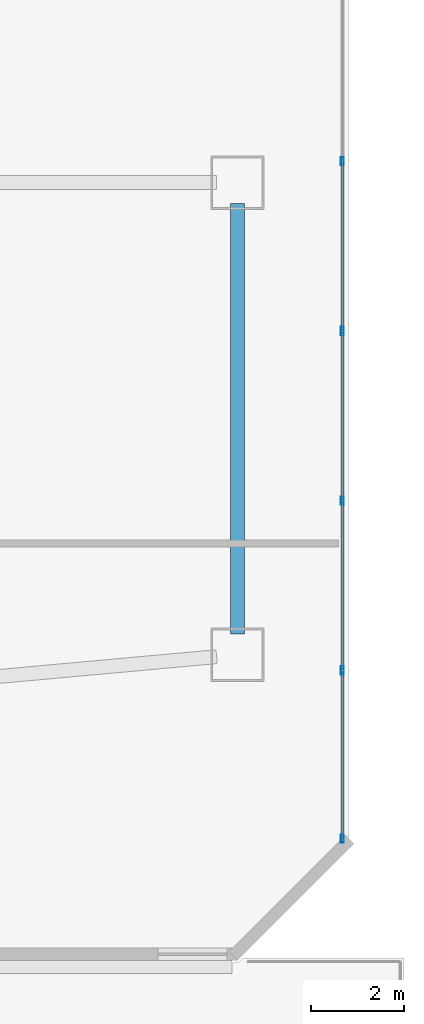
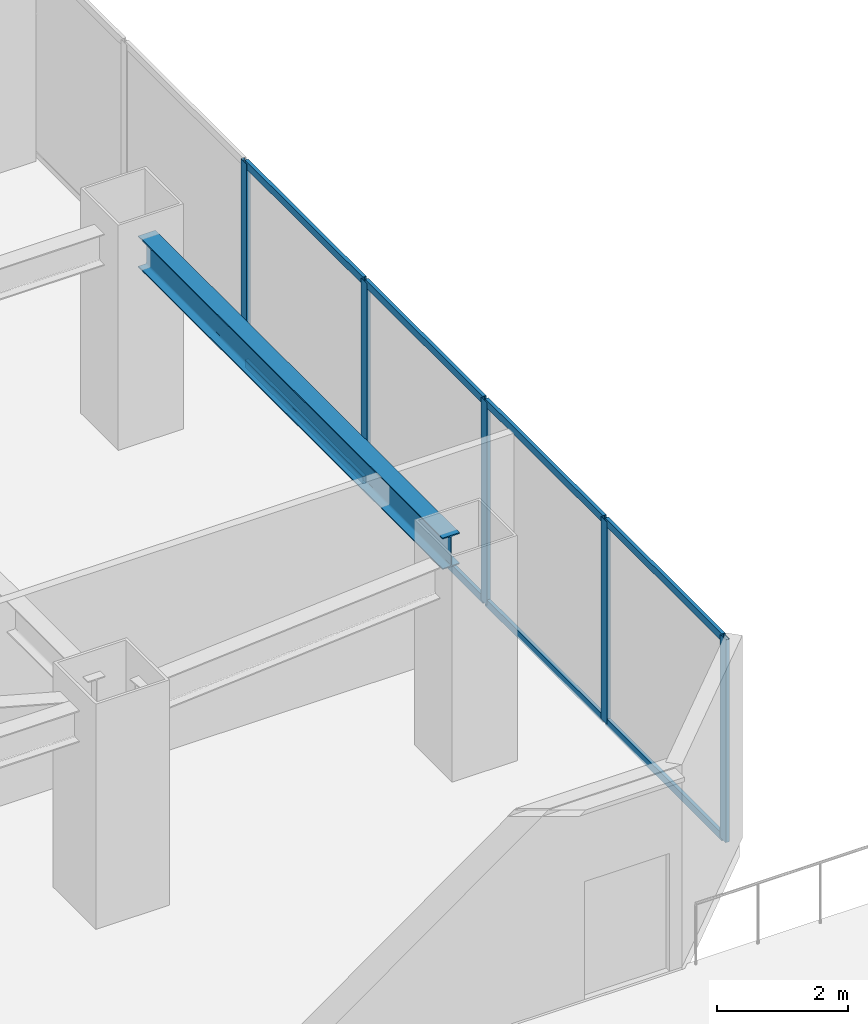
# One storey, part 19 of 32: 13 members, 1 beam, 1 element without a shape of its own.
"""IFC4 building model written with IfcOpenShell, lengths in metres."""

from ifc_helpers import new_model, si_unit, direction, frame, origin, origin_2d, place, context, subcontext, project, spatial, hollow_rectangle, i_section, extrude, material, layer, layer_set, material_profile, profile_set, type_object, element, aggregate, save


model = new_model("IFC4")

# Units and contexts
model_context = context("Model", 3, precision=1e-05, world=origin(), true_north=direction((0.0, 1.0)))
body_context = subcontext(model_context, "Body", "Model", "MODEL_VIEW")
ifc_project = project(units=[si_unit("LENGTHUNIT", "METRE"), si_unit("AREAUNIT", "SQUARE_METRE"), si_unit("VOLUMEUNIT", "CUBIC_METRE"), si_unit("PLANEANGLEUNIT", "RADIAN"), si_unit("MASSUNIT", "GRAM", prefix="KILO")], contexts=[model_context])

# Site, building, storey
site_placement = place(None, origin())
site = spatial("IfcSite", under=ifc_project, at=site_placement, CompositionType="ELEMENT")
building_placement = place(site_placement, origin())
building = spatial("IfcBuilding", under=site, at=building_placement, Name="Haolan Belvedere Tower", CompositionType="ELEMENT")
storey_placement = place(building_placement, frame((0.0, 0.0, 15.60009765625)))
storey = spatial("IfcBuildingStorey", under=building, at=storey_placement, Name="L03", CompositionType="ELEMENT", Elevation=15.60009765625)

# Beam
ifc_material_1 = material(Name="Steel Q355B", Category="steel")
ifc_material_profile_1 = material_profile(ifc_material_1, i_section(OverallWidth=0.300048828125, OverallDepth=0.587890625, WebThickness=0.011962890625, FlangeThickness=0.02001953125, FilletRadius=0.028076171875, at=origin_2d()), Name="Steel Q355B")
ifc_profile_set_1 = profile_set([ifc_material_profile_1], Name="Steel Q355B")
beam_type = type_object("IfcBeamType", Name="BM-HM588x300x12x20", PredefinedType="SPANDREL", material=ifc_profile_set_1)
beam_placement = place(storey_placement, frame((70.800048828125, 17.85009765625, 3.48583984375), z_axis=(0.0, 1.0, 0.0), x_axis=(-1.0, 0.0, 0.0)))
element("IfcBeam", 1, at=beam_placement, inside=storey, type_object=beam_type, Name="L03 spandrel girder MC-T5-SE-MC-T5-NE", PredefinedType="SPANDREL", context=body_context, shape_type="SweptSolid", body=[
    extrude(i_section(OverallWidth=0.300048828125, OverallDepth=0.587890625, WebThickness=0.011962890625, FlangeThickness=0.02001953125, FilletRadius=0.028076171875, at=origin_2d()), origin(), (0.0, 0.0, 1.0), 9.2998046875),
])

# Curtain wall, members
ifc_material_2 = material(Name="Anodised champagne-silver aluminium 6063-T6 and Low-E glass", Category="aluminium")
ifc_layer = layer(ifc_material_2, 0.179931640625, Name="Anodised champagne-silver aluminium 6063-T6 and Low-E glass")
ifc_layer_set = layer_set([ifc_layer], Name="Anodised champagne-silver aluminium 6063-T6 and Low-E glass")
curtain_wall_type = type_object("IfcCurtainWallType", Name="CW-SYS-01", PredefinedType="NOTDEFINED", material=ifc_layer_set)
curtain_wall_placement = place(storey_placement, origin())
curtain_wall = element("IfcCurtainWall", 2, at=curtain_wall_placement, inside=storey, type_object=curtain_wall_type, Name="L03 CW-SYS-01 ribbon curtain wall 2.1", PredefinedType="NOTDEFINED")
ifc_material_3 = material(Name="Anodised aluminium 6063-T6", Category="aluminium")
ifc_material_profile_2 = material_profile(ifc_material_3, hollow_rectangle(XDim=0.06494140625, YDim=0.179931640625, WallThickness=0.00390625, at=origin_2d()), Name="Anodised aluminium 6063-T6")
ifc_profile_set_2 = profile_set([ifc_material_profile_2], Name="Anodised aluminium 6063-T6")
member_type_1 = type_object("IfcMemberType", Name="CW-SYS-01-MUL", PredefinedType="MULLION", material=ifc_profile_set_2)
member_1_placement = place(storey_placement, frame((73.070068359375, 13.42626953125, 0.0), z_axis=(0.0, 0.0, 1.0), x_axis=(-1.0, 0.0, 0.0)))
member_1 = element("IfcMember", 3, at=member_1_placement, type_object=member_type_1, Name="CW-01 mullion 1", PredefinedType="MULLION", context=body_context, shape_type="SweptSolid", body=[
    extrude(hollow_rectangle(XDim=0.06494140625, YDim=0.179931640625, WallThickness=0.00390625, at=origin_2d()), origin(), (0.0, 0.0, 1.0), 3.77978515625),
])
member_2_placement = place(storey_placement, frame((73.070068359375, 17.060791015625, 0.0), z_axis=(0.0, 0.0, 1.0), x_axis=(-1.0, 0.0, 0.0)))
member_2 = element("IfcMember", 4, at=member_2_placement, type_object=member_type_1, Name="CW-01 mullion 2", PredefinedType="MULLION", context=body_context, shape_type="SweptSolid", body=[
    extrude(hollow_rectangle(XDim=0.06494140625, YDim=0.179931640625, WallThickness=0.00390625, at=origin_2d()), origin(), (0.0, 0.0, 1.0), 3.77978515625),
])
member_3_placement = place(storey_placement, frame((73.070068359375, 20.7275390625, 0.0), z_axis=(0.0, 0.0, 1.0), x_axis=(-1.0, 0.0, 0.0)))
member_3 = element("IfcMember", 5, at=member_3_placement, type_object=member_type_1, Name="CW-01 mullion 3", PredefinedType="MULLION", context=body_context, shape_type="SweptSolid", body=[
    extrude(hollow_rectangle(XDim=0.06494140625, YDim=0.179931640625, WallThickness=0.00390625, at=origin_2d()), origin(), (0.0, 0.0, 1.0), 3.77978515625),
])
member_4_placement = place(storey_placement, frame((73.070068359375, 24.39453125, 0.0), z_axis=(0.0, 0.0, 1.0), x_axis=(-1.0, 0.0, 0.0)))
member_4 = element("IfcMember", 6, at=member_4_placement, type_object=member_type_1, Name="CW-01 mullion 4", PredefinedType="MULLION", context=body_context, shape_type="SweptSolid", body=[
    extrude(hollow_rectangle(XDim=0.06494140625, YDim=0.179931640625, WallThickness=0.00390625, at=origin_2d()), origin(), (0.0, 0.0, 1.0), 3.77978515625),
])
member_5_placement = place(storey_placement, frame((73.070068359375, 28.0615234375, 0.0), z_axis=(0.0, 0.0, 1.0), x_axis=(-1.0, 0.0, 0.0)))
member_5 = element("IfcMember", 7, at=member_5_placement, type_object=member_type_1, Name="CW-01 mullion 5", PredefinedType="MULLION", context=body_context, shape_type="SweptSolid", body=[
    extrude(hollow_rectangle(XDim=0.06494140625, YDim=0.179931640625, WallThickness=0.00390625, at=origin_2d()), origin(), (0.0, 0.0, 1.0), 3.77978515625),
])
ifc_material_profile_3 = material_profile(ifc_material_3, hollow_rectangle(XDim=0.06005859375, YDim=0.139892578125, WallThickness=0.00390625, at=origin_2d()), Name="Anodised aluminium 6063-T6")
ifc_profile_set_3 = profile_set([ifc_material_profile_3], Name="Anodised aluminium 6063-T6")
member_type_2 = type_object("IfcMemberType", Name="CW-SYS-01-TRN", PredefinedType="USERDEFINED", material=ifc_profile_set_3)
member_6_placement = place(storey_placement, frame((73.070068359375, 13.458740234375, 0.02978515625), z_axis=(0.0, 1.0, 0.0), x_axis=(-1.0, 0.0, 0.0)))
member_6 = element("IfcMember", 8, at=member_6_placement, type_object=member_type_2, Name="CW-01 transom 1.1", ObjectType="TRANSOM", PredefinedType="USERDEFINED", context=body_context, shape_type="SweptSolid", body=[
    extrude(hollow_rectangle(XDim=0.06005859375, YDim=0.139892578125, WallThickness=0.00390625, at=origin_2d()), origin(), (0.0, 0.0, 1.0), 3.569580078125),
])
member_7_placement = place(storey_placement, frame((73.070068359375, 13.458740234375, 3.75), z_axis=(0.0, 1.0, 0.0), x_axis=(-1.0, 0.0, 0.0)))
member_7 = element("IfcMember", 9, at=member_7_placement, type_object=member_type_2, Name="CW-01 transom 1.2", ObjectType="TRANSOM", PredefinedType="USERDEFINED", context=body_context, shape_type="SweptSolid", body=[
    extrude(hollow_rectangle(XDim=0.06005859375, YDim=0.139892578125, WallThickness=0.00390625, at=origin_2d()), origin(), (0.0, 0.0, 1.0), 3.569580078125),
])
member_8_placement = place(storey_placement, frame((73.070068359375, 17.09326171875, 0.02978515625), z_axis=(0.0, 1.0, 0.0), x_axis=(-1.0, 0.0, 0.0)))
member_8 = element("IfcMember", 10, at=member_8_placement, type_object=member_type_2, Name="CW-01 transom 2.1", ObjectType="TRANSOM", PredefinedType="USERDEFINED", context=body_context, shape_type="SweptSolid", body=[
    extrude(hollow_rectangle(XDim=0.06005859375, YDim=0.139892578125, WallThickness=0.00390625, at=origin_2d()), origin(), (0.0, 0.0, 1.0), 3.601806640625),
])
member_9_placement = place(storey_placement, frame((73.070068359375, 17.09326171875, 3.75), z_axis=(0.0, 1.0, 0.0), x_axis=(-1.0, 0.0, 0.0)))
member_9 = element("IfcMember", 11, at=member_9_placement, type_object=member_type_2, Name="CW-01 transom 2.2", ObjectType="TRANSOM", PredefinedType="USERDEFINED", context=body_context, shape_type="SweptSolid", body=[
    extrude(hollow_rectangle(XDim=0.06005859375, YDim=0.139892578125, WallThickness=0.00390625, at=origin_2d()), origin(), (0.0, 0.0, 1.0), 3.601806640625),
])
member_10_placement = place(storey_placement, frame((73.070068359375, 20.76025390625, 0.02978515625), z_axis=(0.0, 1.0, 0.0), x_axis=(-1.0, 0.0, 0.0)))
member_10 = element("IfcMember", 12, at=member_10_placement, type_object=member_type_2, Name="CW-01 transom 3.1", ObjectType="TRANSOM", PredefinedType="USERDEFINED", context=body_context, shape_type="SweptSolid", body=[
    extrude(hollow_rectangle(XDim=0.06005859375, YDim=0.139892578125, WallThickness=0.00390625, at=origin_2d()), origin(), (0.0, 0.0, 1.0), 3.601806640625),
])
member_11_placement = place(storey_placement, frame((73.070068359375, 20.76025390625, 3.75), z_axis=(0.0, 1.0, 0.0), x_axis=(-1.0, 0.0, 0.0)))
member_11 = element("IfcMember", 13, at=member_11_placement, type_object=member_type_2, Name="CW-01 transom 3.2", ObjectType="TRANSOM", PredefinedType="USERDEFINED", context=body_context, shape_type="SweptSolid", body=[
    extrude(hollow_rectangle(XDim=0.06005859375, YDim=0.139892578125, WallThickness=0.00390625, at=origin_2d()), origin(), (0.0, 0.0, 1.0), 3.601806640625),
])
member_12_placement = place(storey_placement, frame((73.070068359375, 24.427001953125, 0.02978515625), z_axis=(0.0, 1.0, 0.0), x_axis=(-1.0, 0.0, 0.0)))
member_12 = element("IfcMember", 14, at=member_12_placement, type_object=member_type_2, Name="CW-01 transom 4.1", ObjectType="TRANSOM", PredefinedType="USERDEFINED", context=body_context, shape_type="SweptSolid", body=[
    extrude(hollow_rectangle(XDim=0.06005859375, YDim=0.139892578125, WallThickness=0.00390625, at=origin_2d()), origin(), (0.0, 0.0, 1.0), 3.60205078125),
])
member_13_placement = place(storey_placement, frame((73.070068359375, 24.427001953125, 3.75), z_axis=(0.0, 1.0, 0.0), x_axis=(-1.0, 0.0, 0.0)))
member_13 = element("IfcMember", 15, at=member_13_placement, type_object=member_type_2, Name="CW-01 transom 4.2", ObjectType="TRANSOM", PredefinedType="USERDEFINED", context=body_context, shape_type="SweptSolid", body=[
    extrude(hollow_rectangle(XDim=0.06005859375, YDim=0.139892578125, WallThickness=0.00390625, at=origin_2d()), origin(), (0.0, 0.0, 1.0), 3.60205078125),
])
aggregate(curtain_wall, [member_1, member_2, member_3, member_4, member_5, member_6, member_7, member_8, member_9, member_10, member_11, member_12, member_13])

save(model, "model.ifc")
